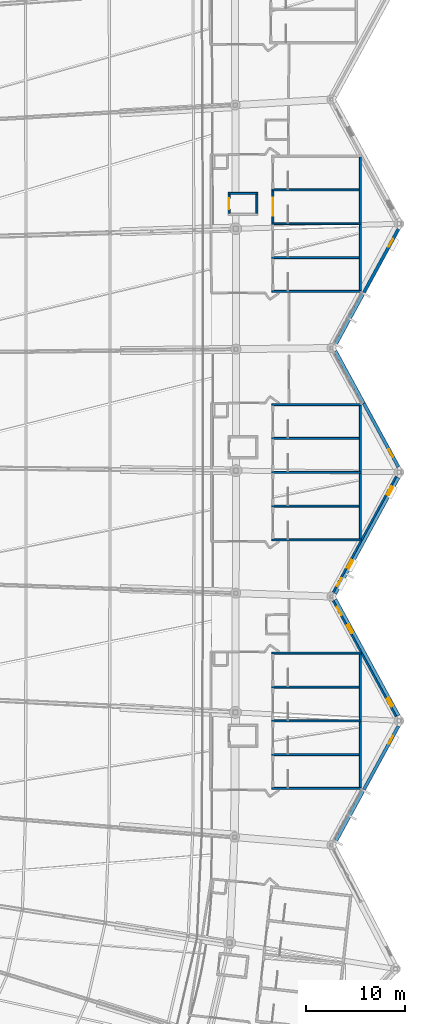
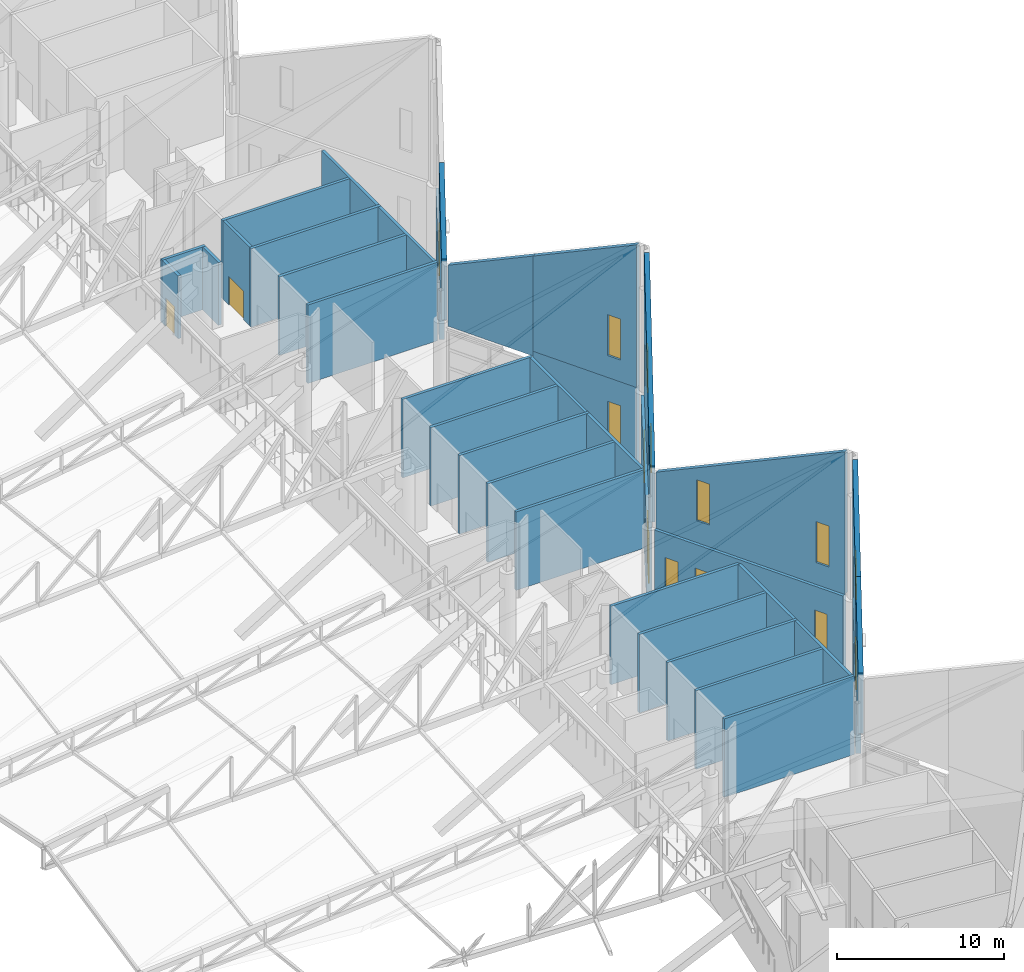
# One storey, part 259 of 344: 36 walls, 15 windows, 2 doors, 17 openings.
"""IFC4 building model written with IfcOpenShell, lengths in metres."""

from ifc_helpers import new_model, si_unit, direction, frame, frame_2d, origin, place, context, subcontext, project, spatial, polyline, rectangle, outline, extrude, material, layer, layer_set, type_object, element, fill, save


model = new_model("IFC4")

# Units and contexts
model_context = context("Model", 3, precision=1e-05, world=origin(), true_north=direction((0.0, 1.0)))
body_context = subcontext(model_context, "Body", "Model", "MODEL_VIEW")
ifc_project = project(units=[si_unit("LENGTHUNIT", "METRE"), si_unit("AREAUNIT", "SQUARE_METRE"), si_unit("VOLUMEUNIT", "CUBIC_METRE"), si_unit("PLANEANGLEUNIT", "RADIAN"), si_unit("MASSUNIT", "GRAM", prefix="KILO")], contexts=[model_context])

# Site, building, storey
site_placement = place(None, origin())
site = spatial("IfcSite", under=ifc_project, at=site_placement, CompositionType="ELEMENT")
building_placement = place(site_placement, origin())
building = spatial("IfcBuilding", under=site, at=building_placement, Name="Meseta Stadium", CompositionType="ELEMENT")
storey_placement = place(building_placement, frame((0.0, 0.0, 24.0)))
storey = spatial("IfcBuildingStorey", under=building, at=storey_placement, Name="L04", CompositionType="ELEMENT", Elevation=24.0)

# Walls
ifc_material_1 = material(Name="Concrete C40/50", Category="concrete")
ifc_layer_1 = layer(ifc_material_1, 0.199951171875)
ifc_layer_set_1 = layer_set([ifc_layer_1], Name="Core divider wall 200")
wall_type_1 = type_object("IfcWallType", Name="Core divider wall 200", PredefinedType="SHEAR", material=ifc_layer_set_1)
for number, where, z_axis, x_axis, name in (
    (1, (97.60009765625, -34.64990234375, 0.0), (0.0, 0.0, 1.0), (-1.0, 0.0, 0.0), "Core 02 L04 stair A divider wall"),
    (2, (97.60009765625, -27.85009765625, 0.0), (0.0, 0.0, 1.0), (-1.0, 0.0, 0.0), "Core 02 L04 stair B divider wall"),
    (3, (97.60009765625, -9.64990234375, 0.0), (0.0, 0.0, 1.0), (-1.0, 0.0, 0.0), "Core 03 L04 stair A divider wall"),
    (4, (97.60009765625, -2.85009765625, 0.0), (0.0, 0.0, 1.0), (-1.0, 0.0, 0.0), "Core 03 L04 stair B divider wall"),
    (5, (97.60009765625, 15.35009765625, 0.0), (0.0, 0.0, 1.0), (-1.0, 0.0, 0.0), "Core 04 L04 stair A divider wall"),
    (6, (97.60009765625, 22.14990234375, 0.0), (0.0, 0.0, 1.0), (-1.0, 0.0, 0.0), "Core 04 L04 stair B divider wall"),
):
    element("IfcWall", number, at=place(storey_placement, frame(where, z_axis=z_axis, x_axis=x_axis)), inside=storey, type_object=wall_type_1, Name=name, PredefinedType="SHEAR", context=body_context, shape_type="SweptSolid", body=[
        extrude(rectangle(XDim=9.0, YDim=0.199951171875, at=frame_2d((4.5, 0.0))), origin(), (0.0, 0.0, 1.0), 5.75),
    ])
ifc_material_2 = material(Name="Concrete C40/50", Category="concrete")
ifc_layer_2 = layer(ifc_material_2, 0.199951171875)
ifc_layer_set_2 = layer_set([ifc_layer_2], Name="Core shaft wall 200")
wall_type_2 = type_object("IfcWallType", Name="Core shaft wall 200", PredefinedType="SHEAR", material=ifc_layer_set_2)
for number, where, z_axis, x_axis, name in (
    (7, (97.60009765625, -38.050048828125, 0.0), (0.0, 0.0, 1.0), (-1.0, 0.0, 0.0), "Core 02 L04 stair wall A-side"),
    (8, (97.60009765625, -31.25, 0.0), (0.0, 0.0, 1.0), (-1.0, 0.0, 0.0), "Core 02 L04 stair wall shared"),
    (9, (97.60009765625, -24.449951171875, 0.0), (0.0, 0.0, 1.0), (-1.0, 0.0, 0.0), "Core 02 L04 stair wall B-side"),
):
    element("IfcWall", number, at=place(storey_placement, frame(where, z_axis=z_axis, x_axis=x_axis)), inside=storey, type_object=wall_type_2, Name=name, PredefinedType="SHEAR", context=body_context, shape_type="SweptSolid", body=[
        extrude(rectangle(XDim=9.0, YDim=0.199951171875, at=frame_2d((4.5, 0.0))), origin(), (0.0, 0.0, 1.0), 5.75),
    ])
for number, where, z_axis, x_axis, name in (
    (10, (97.5, -37.949951171875, 0.0), (0.0, 0.0, 1.0), (0.0, 1.0, 0.0), "Core 02 L04 stair A outer end wall"),
    (11, (97.5, -31.14990234375, 0.0), (0.0, 0.0, 1.0), (0.0, 1.0, 0.0), "Core 02 L04 stair B outer end wall"),
):
    element("IfcWall", number, at=place(storey_placement, frame(where, z_axis=z_axis, x_axis=x_axis)), inside=storey, type_object=wall_type_2, Name=name, PredefinedType="SHEAR", context=body_context, shape_type="SweptSolid", body=[
        extrude(rectangle(XDim=6.599853515625, YDim=0.199951171875, at=frame_2d((3.2998046875, 0.0))), origin(), (0.0, 0.0, 1.0), 5.75),
    ])
for number, where, z_axis, x_axis, name in (
    (12, (97.60009765625, -13.050048828125, 0.0), (0.0, 0.0, 1.0), (-1.0, 0.0, 0.0), "Core 03 L04 stair wall A-side"),
    (13, (97.60009765625, -6.25, 0.0), (0.0, 0.0, 1.0), (-1.0, 0.0, 0.0), "Core 03 L04 stair wall shared"),
    (14, (97.60009765625, 0.550048828125, 0.0), (0.0, 0.0, 1.0), (-1.0, 0.0, 0.0), "Core 03 L04 stair wall B-side"),
):
    element("IfcWall", number, at=place(storey_placement, frame(where, z_axis=z_axis, x_axis=x_axis)), inside=storey, type_object=wall_type_2, Name=name, PredefinedType="SHEAR", context=body_context, shape_type="SweptSolid", body=[
        extrude(rectangle(XDim=9.0, YDim=0.199951171875, at=frame_2d((4.5, 0.0))), origin(), (0.0, 0.0, 1.0), 5.75),
    ])
for number, where, z_axis, x_axis, name in (
    (15, (97.5, -12.949951171875, 0.0), (0.0, 0.0, 1.0), (0.0, 1.0, 0.0), "Core 03 L04 stair A outer end wall"),
    (16, (97.5, -6.14990234375, 0.0), (0.0, 0.0, 1.0), (0.0, 1.0, 0.0), "Core 03 L04 stair B outer end wall"),
):
    element("IfcWall", number, at=place(storey_placement, frame(where, z_axis=z_axis, x_axis=x_axis)), inside=storey, type_object=wall_type_2, Name=name, PredefinedType="SHEAR", context=body_context, shape_type="SweptSolid", body=[
        extrude(rectangle(XDim=6.599853515625, YDim=0.199951171875, at=frame_2d((3.2998046875, 0.0))), origin(), (0.0, 0.0, 1.0), 5.75),
    ])
for number, where, z_axis, x_axis, name in (
    (17, (97.60009765625, 11.949951171875, 0.0), (0.0, 0.0, 1.0), (-1.0, 0.0, 0.0), "Core 04 L04 stair wall A-side"),
    (18, (97.60009765625, 18.75, 0.0), (0.0, 0.0, 1.0), (-1.0, 0.0, 0.0), "Core 04 L04 stair wall shared"),
):
    element("IfcWall", number, at=place(storey_placement, frame(where, z_axis=z_axis, x_axis=x_axis)), inside=storey, type_object=wall_type_2, Name=name, PredefinedType="SHEAR", context=body_context, shape_type="SweptSolid", body=[
        extrude(rectangle(XDim=9.0, YDim=0.199951171875, at=frame_2d((4.5, 0.0))), origin(), (0.0, 0.0, 1.0), 5.75),
    ])
for number, where, z_axis, x_axis, name in (
    (19, (97.5, 12.050048828125, 0.0), (0.0, 0.0, 1.0), (0.0, 1.0, 0.0), "Core 04 L04 stair A outer end wall"),
    (20, (97.5, 18.85009765625, 0.0), (0.0, 0.0, 1.0), (0.0, 1.0, 0.0), "Core 04 L04 stair B outer end wall"),
):
    element("IfcWall", number, at=place(storey_placement, frame(where, z_axis=z_axis, x_axis=x_axis)), inside=storey, type_object=wall_type_2, Name=name, PredefinedType="SHEAR", context=body_context, shape_type="SweptSolid", body=[
        extrude(rectangle(XDim=6.599853515625, YDim=0.199951171875, at=frame_2d((3.2998046875, 0.0))), origin(), (0.0, 0.0, 1.0), 5.75),
    ])

# Wall, opening, door
wall_1_placement = place(storey_placement, frame((88.699951171875, 18.85009765625, 0.0), z_axis=(0.0, 0.0, 1.0), x_axis=(0.0, 1.0, 0.0)))
wall_1 = element("IfcWall", 21, at=wall_1_placement, inside=storey, type_object=wall_type_2, Name="Core 04 L04 stair B1 inner end wall", PredefinedType="SHEAR", context=body_context, shape_type="SweptSolid", body=[
    extrude(rectangle(XDim=3.199951171875, YDim=0.199951171875, at=frame_2d((1.60009765625, 0.0))), origin(), (0.0, 0.0, 1.0), 5.75),
])
opening_1_placement = place(wall_1_placement, frame((0.699951171875, 0.0, 0.0)))
opening_1 = element("IfcOpeningElement", 22, at=opening_1_placement, cuts=wall_1, Name="Opening D1674", PredefinedType="OPENING", context=body_context, shape_type="SweptSolid", body=[
    extrude(rectangle(XDim=1.800048828125, YDim=2.10009765625, at=frame_2d((0.89990234375, 1.050048828125))), frame((0.0, 0.10986328125, 0.0), z_axis=(0.0, -1.0, 0.0), x_axis=(1.0, 0.0, 0.0)), (0.0, 0.0, 1.0), 0.219970703125),
])
ifc_material_3 = material(Name="Steel", Category="steel")
door_type_1 = type_object("IfcDoorType", Name="Stair door 1800x2100", OperationType="DOUBLE_DOOR_SINGLE_SWING", PredefinedType="DOOR", material=ifc_material_3)
door_1_placement = place(opening_1_placement, origin())
door_1 = element("IfcDoor", 23, at=door_1_placement, inside=storey, type_object=door_type_1, Name="Stair B1 door 04 L04", OperationType="DOUBLE_DOOR_SINGLE_SWING", OverallHeight=2.10009765625, OverallWidth=1.800048828125, PredefinedType="DOOR", context=body_context, shape_type="SweptSolid", body=[
    extrude(rectangle(XDim=1.800048828125, YDim=2.10009765625, at=frame_2d((0.89990234375, 1.050048828125))), frame((0.0, 0.02490234375, 0.0), z_axis=(0.0, -1.0, 0.0), x_axis=(1.0, 0.0, 0.0)), (0.0, 0.0, 1.0), 0.050048828125),
])
fill(opening_1, door_1)

# Walls
wall_2_placement = place(storey_placement, frame((87.199951171875, 21.800048828125, 0.0), z_axis=(0.0, 0.0, 1.0), x_axis=(-1.0, 0.0, 0.0)))
element("IfcWall", 24, at=wall_2_placement, inside=storey, type_object=wall_type_2, Name="Core 04 L04 lift shaft wall right", PredefinedType="SHEAR", context=body_context, shape_type="SweptSolid", body=[
    extrude(rectangle(XDim=3.0, YDim=0.199951171875, at=frame_2d((1.5, 0.0))), origin(), (0.0, 0.0, 1.0), 4.60009765625),
])
wall_3_placement = place(storey_placement, frame((87.10009765625, 19.800048828125, 0.0), z_axis=(0.0, 0.0, 1.0), x_axis=(0.0, 1.0, 0.0)))
element("IfcWall", 25, at=wall_3_placement, inside=storey, type_object=wall_type_2, Name="Core 04 L04 lift shaft back wall", PredefinedType="SHEAR", context=body_context, shape_type="SweptSolid", body=[
    extrude(rectangle(XDim=1.89990234375, YDim=0.199951171875, at=frame_2d((0.949951171875, 0.0))), origin(), (0.0, 0.0, 1.0), 4.60009765625),
])

# Wall, opening, door
wall_4_placement = place(storey_placement, frame((84.300048828125, 19.800048828125, 0.0), z_axis=(0.0, 0.0, 1.0), x_axis=(0.0, 1.0, 0.0)))
wall_4 = element("IfcWall", 26, at=wall_4_placement, inside=storey, type_object=wall_type_2, Name="Core 04 L04 lift shaft front wall", PredefinedType="SHEAR", context=body_context, shape_type="SweptSolid", body=[
    extrude(rectangle(XDim=1.89990234375, YDim=0.199951171875, at=frame_2d((0.949951171875, 0.0))), origin(), (0.0, 0.0, 1.0), 4.60009765625),
])
opening_2_placement = place(wall_4_placement, frame((0.39990234375, 0.0, 0.0)))
opening_2 = element("IfcOpeningElement", 27, at=opening_2_placement, cuts=wall_4, Name="Opening LD24", PredefinedType="OPENING", context=body_context, shape_type="SweptSolid", body=[
    extrude(rectangle(XDim=1.10009765625, YDim=2.10009765625, at=frame_2d((0.550048828125, 1.050048828125))), frame((0.0, 0.10986328125, 0.0), z_axis=(0.0, -1.0, 0.0), x_axis=(1.0, 0.0, 0.0)), (0.0, 0.0, 1.0), 0.219970703125),
])
ifc_material_4 = material(Name="Steel", Category="steel")
door_type_2 = type_object("IfcDoorType", Name="Lift landing door 1100x2100", OperationType="SLIDING_TO_LEFT", PredefinedType="DOOR", material=ifc_material_4)
door_2_placement = place(opening_2_placement, origin())
door_2 = element("IfcDoor", 28, at=door_2_placement, inside=storey, type_object=door_type_2, Name="Lift landing door LD24", OperationType="SLIDING_TO_RIGHT", OverallHeight=2.10009765625, OverallWidth=1.10009765625, PredefinedType="DOOR", context=body_context, shape_type="SweptSolid", body=[
    extrude(rectangle(XDim=1.10009765625, YDim=2.10009765625, at=frame_2d((0.550048828125, 1.050048828125))), frame((0.0, 0.02490234375, 0.0), z_axis=(0.0, -1.0, 0.0), x_axis=(1.0, 0.0, 0.0)), (0.0, 0.0, 1.0), 0.050048828125),
])
fill(opening_2, door_2)

# Wall, opening, window
ifc_material_5 = material(Name="White precast concrete C40/50", Category="concrete")
ifc_layer_3 = layer(ifc_material_5, 0.320068359375)
ifc_layer_set_3 = layer_set([ifc_layer_3], Name="Pleated fascia panel 320 raked")
wall_type_3 = type_object("IfcWallType", Name="Pleated fascia panel 320 raked", PredefinedType="SOLIDWALL", material=ifc_layer_set_3)
wall_5_placement = place(storey_placement, frame((101.3369140625, -31.78466796875, 6.0), z_axis=(0.0, 0.0, 1.0), x_axis=(-0.477865020076, -0.878433277255, 0.0)))
wall_5 = element("IfcWall", 29, at=wall_5_placement, inside=storey, type_object=wall_type_3, Name="Pleated fascia panel L04 F01", PredefinedType="SOLIDWALL", context=body_context, shape_type="SweptSolid", body=[
    extrude(outline(polyline([(0.0, 0.0), (7.2802734375, 0.0), (7.2802734375, 6.97216796875), (0.0, 10.451171875), (0.0, 0.0)])), frame((0.0, 0.16015625, 0.0), z_axis=(0.0, -1.0, 0.0), x_axis=(1.0, 0.0, 0.0)), (0.0, 0.0, 1.0), 0.320068359375),
])
opening_3_placement = place(wall_5_placement, frame((1.130126953125, 0.0, 1.60009765625)))
opening_3 = element("IfcOpeningElement", 30, at=opening_3_placement, cuts=wall_5, Name="Opening W321", PredefinedType="OPENING", context=body_context, shape_type="SweptSolid", body=[
    extrude(rectangle(XDim=0.89990234375, YDim=3.0, at=frame_2d((0.449951171875, 1.5))), frame((0.0, 0.169921875, 0.0), z_axis=(0.0, -1.0, 0.0), x_axis=(1.0, 0.0, 0.0)), (0.0, 0.0, 1.0), 0.340087890625),
])
ifc_material_6 = material(Name="Aluminium", Category="aluminium")
window_type_1 = type_object("IfcWindowType", Name="Slot window 900x3000", PartitioningType="SINGLE_PANEL", PredefinedType="WINDOW", material=ifc_material_6)
window_1_placement = place(opening_3_placement, origin())
window_1 = element("IfcWindow", 31, at=window_1_placement, inside=storey, type_object=window_type_1, Name="Slot window L04 F01.6", OverallHeight=3.0, OverallWidth=0.89990234375, PartitioningType="SINGLE_PANEL", PredefinedType="WINDOW", context=body_context, shape_type="SweptSolid", body=[
    extrude(rectangle(XDim=0.89990234375, YDim=3.0, at=frame_2d((0.449951171875, 1.5))), frame((0.0, 0.030029296875, 0.0), z_axis=(0.0, -1.0, 0.0), x_axis=(1.0, 0.0, 0.0)), (0.0, 0.0, 1.0), 0.06005859375),
])
fill(opening_3, window_1)

# Wall
wall_6_placement = place(storey_placement, frame((97.85791015625, -38.179931640625, 5.64990234375), z_axis=(0.0, 0.0, 1.0), x_axis=(-0.477871109227, -0.878429964747, 0.0)))
element("IfcWall", 32, at=wall_6_placement, inside=storey, type_object=wall_type_3, Name="Pleated facade panel above atrium F01", PredefinedType="SOLIDWALL", context=body_context, shape_type="SweptSolid", body=[
    extrude(outline(polyline([(0.0, 0.0), (6.0, 0.0), (6.0, 4.455078125), (0.0, 7.322265625), (0.0, 0.0)])), frame((0.0, 0.16015625, 0.0), z_axis=(0.0, -1.0, 0.0), x_axis=(1.0, 0.0, 0.0)), (0.0, 0.0, 1.0), 0.320068359375),
])

# Wall, openings, windows
wall_7_placement = place(storey_placement, frame((94.99072265625, -19.049560546875, 6.0), z_axis=(0.0, 0.0, 1.0), x_axis=(0.477867771117, -0.878431780691, 0.0)))
wall_7 = element("IfcWall", 33, at=wall_7_placement, inside=storey, type_object=wall_type_3, Name="Pleated fascia panel L04 F02", PredefinedType="SOLIDWALL", context=body_context, shape_type="SweptSolid", body=[
    extrude(outline(polyline([(0.0, 0.0), (13.2802734375, 0.0), (13.2802734375, 10.451171875), (0.0, 4.10498046875), (0.0, 0.0)])), frame((0.0, 0.16015625, 0.0), z_axis=(0.0, -1.0, 0.0), x_axis=(1.0, 0.0, 0.0)), (0.0, 0.0, 1.0), 0.320068359375),
])
opening_4_placement = place(wall_7_placement, frame((2.85009765625, 0.0, 1.60009765625)))
opening_4 = element("IfcOpeningElement", 34, at=opening_4_placement, cuts=wall_7, Name="Opening W308", PredefinedType="OPENING", context=body_context, shape_type="SweptSolid", body=[
    extrude(rectangle(XDim=0.89990234375, YDim=3.0, at=frame_2d((0.449951171875, 1.5))), frame((0.0, 0.169921875, 0.0), z_axis=(0.0, -1.0, 0.0), x_axis=(1.0, 0.0, 0.0)), (0.0, 0.0, 1.0), 0.340087890625),
])
opening_5_placement = place(wall_7_placement, frame((11.250244140625, 0.0, 1.60009765625)))
opening_5 = element("IfcOpeningElement", 35, at=opening_5_placement, cuts=wall_7, Name="Opening W322", PredefinedType="OPENING", context=body_context, shape_type="SweptSolid", body=[
    extrude(rectangle(XDim=0.89990234375, YDim=3.0, at=frame_2d((0.449951171875, 1.5))), frame((0.0, 0.169921875, 0.0), z_axis=(0.0, -1.0, 0.0), x_axis=(1.0, 0.0, 0.0)), (0.0, 0.0, 1.0), 0.340087890625),
])
window_2_placement = place(opening_4_placement, origin())
window_2 = element("IfcWindow", 36, at=window_2_placement, inside=storey, type_object=window_type_1, Name="Slot window L04 F02.2", OverallHeight=3.0, OverallWidth=0.89990234375, PartitioningType="SINGLE_PANEL", PredefinedType="WINDOW", context=body_context, shape_type="SweptSolid", body=[
    extrude(rectangle(XDim=0.89990234375, YDim=3.0, at=frame_2d((0.449951171875, 1.5))), frame((0.0, 0.030029296875, 0.0), z_axis=(0.0, -1.0, 0.0), x_axis=(1.0, 0.0, 0.0)), (0.0, 0.0, 1.0), 0.06005859375),
])
fill(opening_4, window_2)
window_3_placement = place(opening_5_placement, origin())
window_3 = element("IfcWindow", 37, at=window_3_placement, inside=storey, type_object=window_type_1, Name="Slot window L04 F02.6", OverallHeight=3.0, OverallWidth=0.89990234375, PartitioningType="SINGLE_PANEL", PredefinedType="WINDOW", context=body_context, shape_type="SweptSolid", body=[
    extrude(rectangle(XDim=0.89990234375, YDim=3.0, at=frame_2d((0.449951171875, 1.5))), frame((0.0, 0.030029296875, 0.0), z_axis=(0.0, -1.0, 0.0), x_axis=(1.0, 0.0, 0.0)), (0.0, 0.0, 1.0), 0.06005859375),
])
fill(opening_5, window_3)

wall_8_placement = place(storey_placement, frame((101.3369140625, -6.78466796875, 6.0), z_axis=(0.0, 0.0, 1.0), x_axis=(-0.477867771117, -0.878431780691, 0.0)))
wall_8 = element("IfcWall", 38, at=wall_8_placement, inside=storey, type_object=wall_type_3, Name="Pleated fascia panel L04 F03", PredefinedType="SOLIDWALL", context=body_context, shape_type="SweptSolid", body=[
    extrude(outline(polyline([(0.0, 0.0), (13.2802734375, 0.0), (13.2802734375, 4.10498046875), (0.0, 10.451171875), (0.0, 0.0)])), frame((0.0, 0.16015625, 0.0), z_axis=(0.0, -1.0, 0.0), x_axis=(1.0, 0.0, 0.0)), (0.0, 0.0, 1.0), 0.320068359375),
])
opening_6_placement = place(wall_8_placement, frame((9.530029296875, 0.0, 1.60009765625)))
opening_6 = element("IfcOpeningElement", 39, at=opening_6_placement, cuts=wall_8, Name="Opening W309", PredefinedType="OPENING", context=body_context, shape_type="SweptSolid", body=[
    extrude(rectangle(XDim=0.89990234375, YDim=3.0, at=frame_2d((0.449951171875, 1.5))), frame((0.0, 0.169921875, 0.0), z_axis=(0.0, -1.0, 0.0), x_axis=(1.0, 0.0, 0.0)), (0.0, 0.0, 1.0), 0.340087890625),
])
opening_7_placement = place(wall_8_placement, frame((1.130126953125, 0.0, 1.60009765625)))
opening_7 = element("IfcOpeningElement", 40, at=opening_7_placement, cuts=wall_8, Name="Opening W323", PredefinedType="OPENING", context=body_context, shape_type="SweptSolid", body=[
    extrude(rectangle(XDim=0.89990234375, YDim=3.0, at=frame_2d((0.449951171875, 1.5))), frame((0.0, 0.169921875, 0.0), z_axis=(0.0, -1.0, 0.0), x_axis=(1.0, 0.0, 0.0)), (0.0, 0.0, 1.0), 0.340087890625),
])
window_4_placement = place(opening_6_placement, origin())
window_4 = element("IfcWindow", 41, at=window_4_placement, inside=storey, type_object=window_type_1, Name="Slot window L04 F03.2", OverallHeight=3.0, OverallWidth=0.89990234375, PartitioningType="SINGLE_PANEL", PredefinedType="WINDOW", context=body_context, shape_type="SweptSolid", body=[
    extrude(rectangle(XDim=0.89990234375, YDim=3.0, at=frame_2d((0.449951171875, 1.5))), frame((0.0, 0.030029296875, 0.0), z_axis=(0.0, -1.0, 0.0), x_axis=(1.0, 0.0, 0.0)), (0.0, 0.0, 1.0), 0.06005859375),
])
fill(opening_6, window_4)
window_5_placement = place(opening_7_placement, origin())
window_5 = element("IfcWindow", 42, at=window_5_placement, inside=storey, type_object=window_type_1, Name="Slot window L04 F03.6", OverallHeight=3.0, OverallWidth=0.89990234375, PartitioningType="SINGLE_PANEL", PredefinedType="WINDOW", context=body_context, shape_type="SweptSolid", body=[
    extrude(rectangle(XDim=0.89990234375, YDim=3.0, at=frame_2d((0.449951171875, 1.5))), frame((0.0, 0.030029296875, 0.0), z_axis=(0.0, -1.0, 0.0), x_axis=(1.0, 0.0, 0.0)), (0.0, 0.0, 1.0), 0.06005859375),
])
fill(opening_7, window_5)

# Wall, opening, window
wall_9_placement = place(storey_placement, frame((97.85791015625, 0.679931640625, 6.0), z_axis=(0.0, 0.0, 1.0), x_axis=(0.477865020076, -0.878433277255, 0.0)))
wall_9 = element("IfcWall", 43, at=wall_9_placement, inside=storey, type_object=wall_type_3, Name="Pleated fascia panel L04 F04", PredefinedType="SOLIDWALL", context=body_context, shape_type="SweptSolid", body=[
    extrude(outline(polyline([(0.0, 0.0), (7.2802734375, 0.0), (7.2802734375, 10.451171875), (0.0, 6.97216796875), (0.0, 0.0)])), frame((0.0, 0.16015625, 0.0), z_axis=(0.0, -1.0, 0.0), x_axis=(1.0, 0.0, 0.0)), (0.0, 0.0, 1.0), 0.320068359375),
])
opening_8_placement = place(wall_9_placement, frame((5.250244140625, 0.0, 1.60009765625)))
opening_8 = element("IfcOpeningElement", 44, at=opening_8_placement, cuts=wall_9, Name="Opening W325", PredefinedType="OPENING", context=body_context, shape_type="SweptSolid", body=[
    extrude(rectangle(XDim=0.89990234375, YDim=3.0, at=frame_2d((0.449951171875, 1.5))), frame((0.0, 0.169921875, 0.0), z_axis=(0.0, -1.0, 0.0), x_axis=(1.0, 0.0, 0.0)), (0.0, 0.0, 1.0), 0.340087890625),
])
window_6_placement = place(opening_8_placement, origin())
window_6 = element("IfcWindow", 45, at=window_6_placement, inside=storey, type_object=window_type_1, Name="Slot window L04 F04.6", OverallHeight=3.0, OverallWidth=0.89990234375, PartitioningType="SINGLE_PANEL", PredefinedType="WINDOW", context=body_context, shape_type="SweptSolid", body=[
    extrude(rectangle(XDim=0.89990234375, YDim=3.0, at=frame_2d((0.449951171875, 1.5))), frame((0.0, 0.030029296875, 0.0), z_axis=(0.0, -1.0, 0.0), x_axis=(1.0, 0.0, 0.0)), (0.0, 0.0, 1.0), 0.06005859375),
])
fill(opening_8, window_6)

# Walls
wall_10_placement = place(storey_placement, frame((94.99072265625, 5.950439453125, 5.64990234375), z_axis=(0.0, 0.0, 1.0), x_axis=(0.477871109227, -0.878429964747, 0.0)))
element("IfcWall", 46, at=wall_10_placement, inside=storey, type_object=wall_type_3, Name="Pleated facade panel above atrium F04", PredefinedType="SOLIDWALL", context=body_context, shape_type="SweptSolid", body=[
    extrude(outline(polyline([(0.0, 0.0), (6.0, 0.0), (6.0, 7.322265625), (0.0, 4.455078125), (0.0, 0.0)])), frame((0.0, 0.16015625, 0.0), z_axis=(0.0, -1.0, 0.0), x_axis=(1.0, 0.0, 0.0)), (0.0, 0.0, 1.0), 0.320068359375),
])
wall_11_placement = place(storey_placement, frame((97.85791015625, 11.820068359375, 5.64990234375), z_axis=(0.0, 0.0, 1.0), x_axis=(-0.477871109227, -0.878429964747, 0.0)))
element("IfcWall", 47, at=wall_11_placement, inside=storey, type_object=wall_type_3, Name="Pleated facade panel above atrium F05", PredefinedType="SOLIDWALL", context=body_context, shape_type="SweptSolid", body=[
    extrude(outline(polyline([(0.0, 0.0), (6.0, 0.0), (6.0, 4.455078125), (0.0, 7.322265625), (0.0, 0.0)])), frame((0.0, 0.16015625, 0.0), z_axis=(0.0, -1.0, 0.0), x_axis=(1.0, 0.0, 0.0)), (0.0, 0.0, 1.0), 0.320068359375),
])

# Wall, opening, window
ifc_material_7 = material(Name="White precast concrete C40/50", Category="concrete")
ifc_layer_4 = layer(ifc_material_7, 0.320068359375)
ifc_layer_set_4 = layer_set([ifc_layer_4], Name="Pleated panel wall 320")
wall_type_4 = type_object("IfcWallType", Name="Pleated panel wall 320", PredefinedType="SOLIDWALL", material=ifc_layer_set_4)
wall_12_placement = place(storey_placement, frame((101.3369140625, -31.78466796875, 0.0), z_axis=(0.0, 0.0, 1.0), x_axis=(-0.477865020076, -0.878433277255, 0.0)))
wall_12 = element("IfcWall", 48, at=wall_12_placement, inside=storey, type_object=wall_type_4, Name="Pleated facade panel L04 F01", PredefinedType="SOLIDWALL", context=body_context, shape_type="SweptSolid", body=[
    extrude(rectangle(XDim=7.2802734375, YDim=0.320068359375, at=frame_2d((3.64013671875, 0.0))), origin(), (0.0, 0.0, 1.0), 6.0),
])
opening_9_placement = place(wall_12_placement, frame((1.130126953125, 0.0, 1.0)))
opening_9 = element("IfcOpeningElement", 49, at=opening_9_placement, cuts=wall_12, Name="Opening W320", PredefinedType="OPENING", context=body_context, shape_type="SweptSolid", body=[
    extrude(rectangle(XDim=0.89990234375, YDim=3.25, at=frame_2d((0.449951171875, 1.625))), frame((0.0, 0.169921875, 0.0), z_axis=(0.0, -1.0, 0.0), x_axis=(1.0, 0.0, 0.0)), (0.0, 0.0, 1.0), 0.340087890625),
])
ifc_material_8 = material(Name="Aluminium", Category="aluminium")
window_type_2 = type_object("IfcWindowType", Name="Slot window 900x3250", PartitioningType="SINGLE_PANEL", PredefinedType="WINDOW", material=ifc_material_8)
window_7_placement = place(opening_9_placement, origin())
window_7 = element("IfcWindow", 50, at=window_7_placement, inside=storey, type_object=window_type_2, Name="Slot window L04 F01.6", OverallHeight=3.25, OverallWidth=0.89990234375, PartitioningType="SINGLE_PANEL", PredefinedType="WINDOW", context=body_context, shape_type="SweptSolid", body=[
    extrude(rectangle(XDim=0.89990234375, YDim=3.25, at=frame_2d((0.449951171875, 1.625))), frame((0.0, 0.030029296875, 0.0), z_axis=(0.0, -1.0, 0.0), x_axis=(1.0, 0.0, 0.0)), (0.0, 0.0, 1.0), 0.06005859375),
])
fill(opening_9, window_7)

# Wall, openings, windows
wall_13_placement = place(storey_placement, frame((94.81494140625, -19.145263671875, 0.0), z_axis=(0.0, 0.0, 1.0), x_axis=(0.477867771117, -0.878431780691, 0.0)))
wall_13 = element("IfcWall", 51, at=wall_13_placement, inside=storey, type_object=wall_type_4, Name="Pleated facade panel L04 F02", PredefinedType="SOLIDWALL", context=body_context, shape_type="SweptSolid", body=[
    extrude(rectangle(XDim=13.2802734375, YDim=0.320068359375, at=frame_2d((6.64013671875, 0.0))), origin(), (0.0, 0.0, 1.0), 6.0),
])
opening_10_placement = place(wall_13_placement, frame((0.750244140625, 0.0, 1.0)))
opening_10 = element("IfcOpeningElement", 52, at=opening_10_placement, cuts=wall_13, Name="Opening W302", PredefinedType="OPENING", context=body_context, shape_type="SweptSolid", body=[
    extrude(rectangle(XDim=0.89990234375, YDim=3.25, at=frame_2d((0.449951171875, 1.625))), frame((0.0, 0.169921875, 0.0), z_axis=(0.0, -1.0, 0.0), x_axis=(1.0, 0.0, 0.0)), (0.0, 0.0, 1.0), 0.340087890625),
])
opening_11_placement = place(wall_13_placement, frame((2.85009765625, 0.0, 1.0)))
opening_11 = element("IfcOpeningElement", 53, at=opening_11_placement, cuts=wall_13, Name="Opening W305", PredefinedType="OPENING", context=body_context, shape_type="SweptSolid", body=[
    extrude(rectangle(XDim=0.89990234375, YDim=3.25, at=frame_2d((0.449951171875, 1.625))), frame((0.0, 0.169921875, 0.0), z_axis=(0.0, -1.0, 0.0), x_axis=(1.0, 0.0, 0.0)), (0.0, 0.0, 1.0), 0.340087890625),
])
opening_12_placement = place(wall_13_placement, frame((11.250244140625, 0.0, 1.0)))
opening_12 = element("IfcOpeningElement", 54, at=opening_12_placement, cuts=wall_13, Name="Opening W317", PredefinedType="OPENING", context=body_context, shape_type="SweptSolid", body=[
    extrude(rectangle(XDim=0.89990234375, YDim=3.25, at=frame_2d((0.449951171875, 1.625))), frame((0.0, 0.169921875, 0.0), z_axis=(0.0, -1.0, 0.0), x_axis=(1.0, 0.0, 0.0)), (0.0, 0.0, 1.0), 0.340087890625),
])
window_8_placement = place(opening_10_placement, origin())
window_8 = element("IfcWindow", 55, at=window_8_placement, inside=storey, type_object=window_type_2, Name="Slot window L04 F02.1", OverallHeight=3.25, OverallWidth=0.89990234375, PartitioningType="SINGLE_PANEL", PredefinedType="WINDOW", context=body_context, shape_type="SweptSolid", body=[
    extrude(rectangle(XDim=0.89990234375, YDim=3.25, at=frame_2d((0.449951171875, 1.625))), frame((0.0, 0.030029296875, 0.0), z_axis=(0.0, -1.0, 0.0), x_axis=(1.0, 0.0, 0.0)), (0.0, 0.0, 1.0), 0.06005859375),
])
fill(opening_10, window_8)
window_9_placement = place(opening_11_placement, origin())
window_9 = element("IfcWindow", 56, at=window_9_placement, inside=storey, type_object=window_type_2, Name="Slot window L04 F02.2", OverallHeight=3.25, OverallWidth=0.89990234375, PartitioningType="SINGLE_PANEL", PredefinedType="WINDOW", context=body_context, shape_type="SweptSolid", body=[
    extrude(rectangle(XDim=0.89990234375, YDim=3.25, at=frame_2d((0.449951171875, 1.625))), frame((0.0, 0.030029296875, 0.0), z_axis=(0.0, -1.0, 0.0), x_axis=(1.0, 0.0, 0.0)), (0.0, 0.0, 1.0), 0.06005859375),
])
fill(opening_11, window_9)
window_10_placement = place(opening_12_placement, origin())
window_10 = element("IfcWindow", 57, at=window_10_placement, inside=storey, type_object=window_type_2, Name="Slot window L04 F02.6", OverallHeight=3.25, OverallWidth=0.89990234375, PartitioningType="SINGLE_PANEL", PredefinedType="WINDOW", context=body_context, shape_type="SweptSolid", body=[
    extrude(rectangle(XDim=0.89990234375, YDim=3.25, at=frame_2d((0.449951171875, 1.625))), frame((0.0, 0.030029296875, 0.0), z_axis=(0.0, -1.0, 0.0), x_axis=(1.0, 0.0, 0.0)), (0.0, 0.0, 1.0), 0.06005859375),
])
fill(opening_12, window_10)

wall_14_placement = place(storey_placement, frame((101.1611328125, -6.68896484375, 0.0), z_axis=(0.0, 0.0, 1.0), x_axis=(-0.477867771117, -0.878431780691, 0.0)))
wall_14 = element("IfcWall", 58, at=wall_14_placement, inside=storey, type_object=wall_type_4, Name="Pleated facade panel L04 F03", PredefinedType="SOLIDWALL", context=body_context, shape_type="SweptSolid", body=[
    extrude(rectangle(XDim=13.2802734375, YDim=0.320068359375, at=frame_2d((6.64013671875, 0.0))), origin(), (0.0, 0.0, 1.0), 6.0),
])
opening_13_placement = place(wall_14_placement, frame((11.630126953125, 0.0, 1.0)))
opening_13 = element("IfcOpeningElement", 59, at=opening_13_placement, cuts=wall_14, Name="Opening W303", PredefinedType="OPENING", context=body_context, shape_type="SweptSolid", body=[
    extrude(rectangle(XDim=0.89990234375, YDim=3.25, at=frame_2d((0.449951171875, 1.625))), frame((0.0, 0.169921875, 0.0), z_axis=(0.0, -1.0, 0.0), x_axis=(1.0, 0.0, 0.0)), (0.0, 0.0, 1.0), 0.340087890625),
])
opening_14_placement = place(wall_14_placement, frame((9.530029296875, 0.0, 1.0)))
opening_14 = element("IfcOpeningElement", 60, at=opening_14_placement, cuts=wall_14, Name="Opening W306", PredefinedType="OPENING", context=body_context, shape_type="SweptSolid", body=[
    extrude(rectangle(XDim=0.89990234375, YDim=3.25, at=frame_2d((0.449951171875, 1.625))), frame((0.0, 0.169921875, 0.0), z_axis=(0.0, -1.0, 0.0), x_axis=(1.0, 0.0, 0.0)), (0.0, 0.0, 1.0), 0.340087890625),
])
opening_15_placement = place(wall_14_placement, frame((1.130126953125, 0.0, 1.0)))
opening_15 = element("IfcOpeningElement", 61, at=opening_15_placement, cuts=wall_14, Name="Opening W318", PredefinedType="OPENING", context=body_context, shape_type="SweptSolid", body=[
    extrude(rectangle(XDim=0.89990234375, YDim=3.25, at=frame_2d((0.449951171875, 1.625))), frame((0.0, 0.169921875, 0.0), z_axis=(0.0, -1.0, 0.0), x_axis=(1.0, 0.0, 0.0)), (0.0, 0.0, 1.0), 0.340087890625),
])
window_11_placement = place(opening_13_placement, origin())
window_11 = element("IfcWindow", 62, at=window_11_placement, inside=storey, type_object=window_type_2, Name="Slot window L04 F03.1", OverallHeight=3.25, OverallWidth=0.89990234375, PartitioningType="SINGLE_PANEL", PredefinedType="WINDOW", context=body_context, shape_type="SweptSolid", body=[
    extrude(rectangle(XDim=0.89990234375, YDim=3.25, at=frame_2d((0.449951171875, 1.625))), frame((0.0, 0.030029296875, 0.0), z_axis=(0.0, -1.0, 0.0), x_axis=(1.0, 0.0, 0.0)), (0.0, 0.0, 1.0), 0.06005859375),
])
fill(opening_13, window_11)
window_12_placement = place(opening_14_placement, origin())
window_12 = element("IfcWindow", 63, at=window_12_placement, inside=storey, type_object=window_type_2, Name="Slot window L04 F03.2", OverallHeight=3.25, OverallWidth=0.89990234375, PartitioningType="SINGLE_PANEL", PredefinedType="WINDOW", context=body_context, shape_type="SweptSolid", body=[
    extrude(rectangle(XDim=0.89990234375, YDim=3.25, at=frame_2d((0.449951171875, 1.625))), frame((0.0, 0.030029296875, 0.0), z_axis=(0.0, -1.0, 0.0), x_axis=(1.0, 0.0, 0.0)), (0.0, 0.0, 1.0), 0.06005859375),
])
fill(opening_14, window_12)
window_13_placement = place(opening_15_placement, origin())
window_13 = element("IfcWindow", 64, at=window_13_placement, inside=storey, type_object=window_type_2, Name="Slot window L04 F03.6", OverallHeight=3.25, OverallWidth=0.89990234375, PartitioningType="SINGLE_PANEL", PredefinedType="WINDOW", context=body_context, shape_type="SweptSolid", body=[
    extrude(rectangle(XDim=0.89990234375, YDim=3.25, at=frame_2d((0.449951171875, 1.625))), frame((0.0, 0.030029296875, 0.0), z_axis=(0.0, -1.0, 0.0), x_axis=(1.0, 0.0, 0.0)), (0.0, 0.0, 1.0), 0.06005859375),
])
fill(opening_15, window_13)

# Wall, opening, window
wall_15_placement = place(storey_placement, frame((97.85791015625, 0.679931640625, 0.0), z_axis=(0.0, 0.0, 1.0), x_axis=(0.477865020076, -0.878433277255, 0.0)))
wall_15 = element("IfcWall", 65, at=wall_15_placement, inside=storey, type_object=wall_type_4, Name="Pleated facade panel L04 F04", PredefinedType="SOLIDWALL", context=body_context, shape_type="SweptSolid", body=[
    extrude(rectangle(XDim=7.2802734375, YDim=0.320068359375, at=frame_2d((3.64013671875, 0.0))), origin(), (0.0, 0.0, 1.0), 6.0),
])
opening_16_placement = place(wall_15_placement, frame((5.250244140625, 0.0, 1.0)))
opening_16 = element("IfcOpeningElement", 66, at=opening_16_placement, cuts=wall_15, Name="Opening W324", PredefinedType="OPENING", context=body_context, shape_type="SweptSolid", body=[
    extrude(rectangle(XDim=0.89990234375, YDim=3.25, at=frame_2d((0.449951171875, 1.625))), frame((0.0, 0.169921875, 0.0), z_axis=(0.0, -1.0, 0.0), x_axis=(1.0, 0.0, 0.0)), (0.0, 0.0, 1.0), 0.340087890625),
])
window_14_placement = place(opening_16_placement, origin())
window_14 = element("IfcWindow", 67, at=window_14_placement, inside=storey, type_object=window_type_2, Name="Slot window L04 F04.6", OverallHeight=3.25, OverallWidth=0.89990234375, PartitioningType="SINGLE_PANEL", PredefinedType="WINDOW", context=body_context, shape_type="SweptSolid", body=[
    extrude(rectangle(XDim=0.89990234375, YDim=3.25, at=frame_2d((0.449951171875, 1.625))), frame((0.0, 0.030029296875, 0.0), z_axis=(0.0, -1.0, 0.0), x_axis=(1.0, 0.0, 0.0)), (0.0, 0.0, 1.0), 0.06005859375),
])
fill(opening_16, window_14)

wall_16_placement = place(storey_placement, frame((101.3369140625, 18.21533203125, 0.0), z_axis=(0.0, 0.0, 1.0), x_axis=(-0.477865020076, -0.878433277255, 0.0)))
wall_16 = element("IfcWall", 68, at=wall_16_placement, inside=storey, type_object=wall_type_4, Name="Pleated facade panel L04 F05", PredefinedType="SOLIDWALL", context=body_context, shape_type="SweptSolid", body=[
    extrude(rectangle(XDim=7.2802734375, YDim=0.320068359375, at=frame_2d((3.64013671875, 0.0))), origin(), (0.0, 0.0, 1.0), 6.0),
])
opening_17_placement = place(wall_16_placement, frame((1.130126953125, 0.0, 1.0)))
opening_17 = element("IfcOpeningElement", 69, at=opening_17_placement, cuts=wall_16, Name="Opening W326", PredefinedType="OPENING", context=body_context, shape_type="SweptSolid", body=[
    extrude(rectangle(XDim=0.89990234375, YDim=3.25, at=frame_2d((0.449951171875, 1.625))), frame((0.0, 0.169921875, 0.0), z_axis=(0.0, -1.0, 0.0), x_axis=(1.0, 0.0, 0.0)), (0.0, 0.0, 1.0), 0.340087890625),
])
window_15_placement = place(opening_17_placement, origin())
window_15 = element("IfcWindow", 70, at=window_15_placement, inside=storey, type_object=window_type_2, Name="Slot window L04 F05.6", OverallHeight=3.25, OverallWidth=0.89990234375, PartitioningType="SINGLE_PANEL", PredefinedType="WINDOW", context=body_context, shape_type="SweptSolid", body=[
    extrude(rectangle(XDim=0.89990234375, YDim=3.25, at=frame_2d((0.449951171875, 1.625))), frame((0.0, 0.030029296875, 0.0), z_axis=(0.0, -1.0, 0.0), x_axis=(1.0, 0.0, 0.0)), (0.0, 0.0, 1.0), 0.06005859375),
])
fill(opening_17, window_15)

save(model, "model.ifc")
